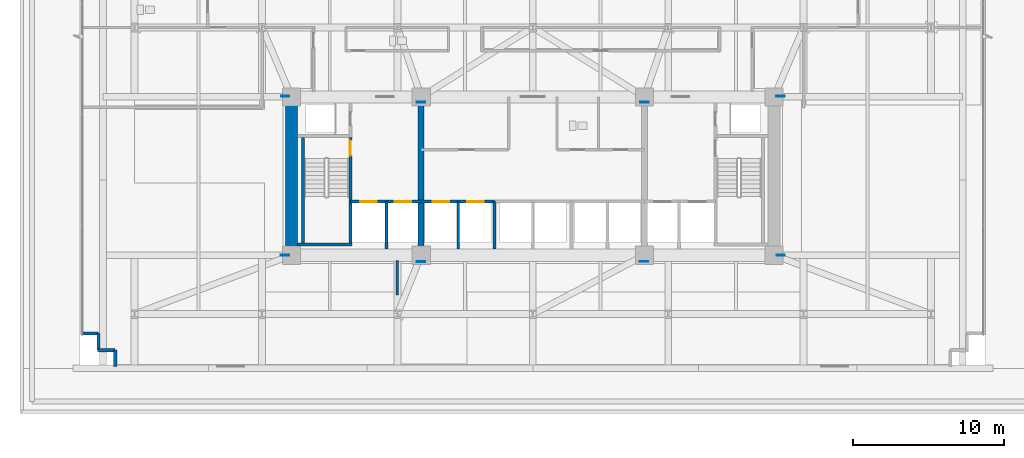
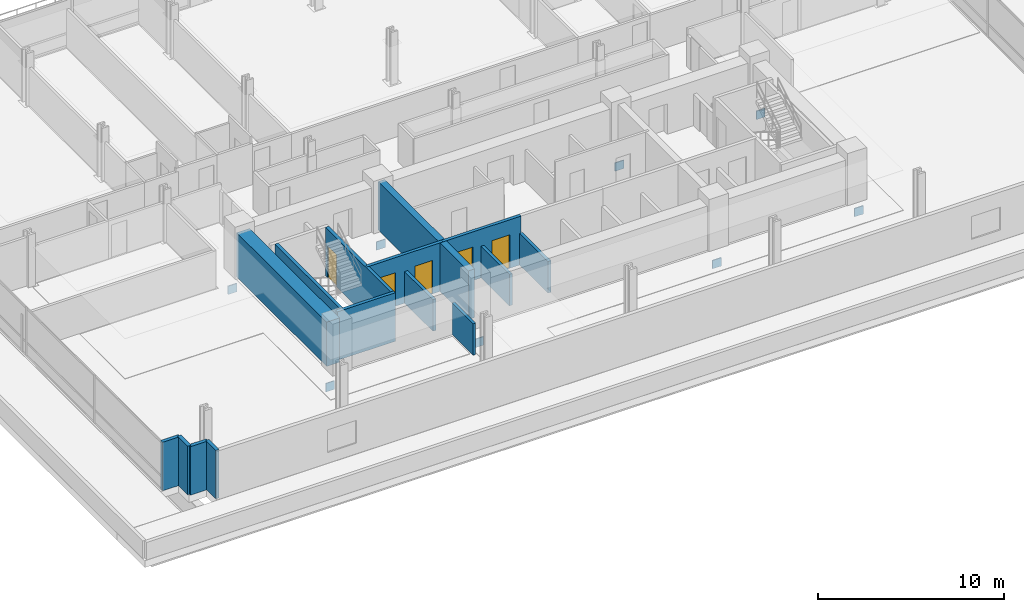
# One storey, part 17 of 25: 15 walls, 8 plates, 5 doors, 5 openings.
"""IFC4 building model written with IfcOpenShell, lengths in metres."""

from ifc_helpers import new_model, si_unit, direction, frame, frame_2d, origin, origin_2d, place, context, subcontext, project, spatial, rectangle, extrude, material, layer, layer_set, type_object, element, fill, save


model = new_model("IFC4")

# Units and contexts
model_context = context("Model", 3, precision=1e-05, world=origin(), true_north=direction((0.0, 1.0)))
body_context = subcontext(model_context, "Body", "Model", "MODEL_VIEW")
ifc_project = project(units=[si_unit("LENGTHUNIT", "METRE"), si_unit("AREAUNIT", "SQUARE_METRE"), si_unit("VOLUMEUNIT", "CUBIC_METRE"), si_unit("PLANEANGLEUNIT", "RADIAN"), si_unit("MASSUNIT", "GRAM", prefix="KILO")], contexts=[model_context])

# Site, building, storey
site_placement = place(None, origin())
site = spatial("IfcSite", under=ifc_project, at=site_placement, CompositionType="ELEMENT")
building_placement = place(site_placement, origin())
building = spatial("IfcBuilding", under=site, at=building_placement, Name="Solmavex Isthmus Hotel", CompositionType="ELEMENT")
storey_placement = place(building_placement, frame((0.0, 0.0, 26.39990234375)))
storey = spatial("IfcBuildingStorey", under=building, at=storey_placement, Name="L06", CompositionType="ELEMENT", Elevation=26.39990234375)

# Plates
ifc_material_1 = material(Name="Steel ASTM A572 Grade 50", Category="steel")
ifc_layer_1 = layer(ifc_material_1, 0.06005859375)
ifc_layer_set_1 = layer_set([ifc_layer_1], Name="Steel ASTM A572 Grade 50")
plate_type = type_object("IfcPlateType", Name="PLT-EMBED-60", PredefinedType="USERDEFINED", material=ifc_layer_set_1)
for number, where, z_axis, x_axis, name in (
    (1, (-7.41162109375, -2.865966796875, -1.3046875), (0.0, 0.0, 1.0), (1.0, 0.0, 0.0), "Outrigger Strut Core Cast-In Embedment Stiffener Plate 023"),
    (2, (7.41162109375, -2.865966796875, -1.3046875), (0.0, 0.0, 1.0), (1.0, 0.0, 0.0), "Outrigger Strut Core Cast-In Embedment Stiffener Plate 024"),
    (3, (-16.4140625, -2.466796875, -1.3046875), (0.0, 0.0, 1.0), (1.0, 0.0, 0.0), "Outrigger Strut Core Cast-In Embedment Stiffener Plate 025"),
    (4, (16.4140625, -2.466796875, -1.3046875), (0.0, 0.0, 1.0), (1.0, 0.0, 0.0), "Outrigger Strut Core Cast-In Embedment Stiffener Plate 026"),
    (5, (-16.43359375, -13.0126953125, -1.3046875), (0.0, 0.0, 1.0), (1.0, 0.0, 0.0), "Outrigger Strut Core Cast-In Embedment Stiffener Plate 027"),
    (6, (16.43359375, -13.0126953125, -1.3046875), (0.0, 0.0, 1.0), (1.0, 0.0, 0.0), "Outrigger Strut Core Cast-In Embedment Stiffener Plate 028"),
    (7, (-7.41357421875, -13.433349609375, -1.3046875), (0.0, 0.0, 1.0), (1.0, 0.0, 0.0), "Outrigger Strut Core Cast-In Embedment Stiffener Plate 029"),
    (8, (7.3681640625, -13.416748046875, -1.3046875), (0.0, 0.0, 1.0), (1.0, 0.0, 0.0), "Outrigger Strut Core Cast-In Embedment Stiffener Plate 030"),
):
    element("IfcPlate", number, at=place(storey_placement, frame(where, z_axis=z_axis, x_axis=x_axis)), inside=storey, type_object=plate_type, Name=name, ObjectType="STIFFENER_PLATE", PredefinedType="USERDEFINED", context=body_context, shape_type="SweptSolid", body=[
        extrude(rectangle(XDim=0.550048828125, YDim=0.06005859375, at=origin_2d()), origin(), (0.0, 0.0, 1.0), 0.550048828125),
    ])

# Walls
ifc_material_2 = material(Name="Precast Concrete C40/50", Category="concrete")
ifc_layer_2 = layer(ifc_material_2, 0.25)
ifc_layer_set_2 = layer_set([ifc_layer_2], Name="Precast Concrete C40/50")
wall_type_1 = type_object("IfcWallType", Name="EW-TWR-250", PredefinedType="STANDARD", material=ifc_layer_set_2)
wall_1_placement = place(storey_placement, frame((-27.68994140625, -20.389892578125, 0.0), z_axis=(0.0, 0.0, 1.0), x_axis=(0.0, 1.0, 0.0)))
element("IfcWall", 9, at=wall_1_placement, inside=storey, type_object=wall_type_1, Name="Serrated Corner Facade Panel L06-01", PredefinedType="STANDARD", context=body_context, shape_type="SweptSolid", body=[
    extrude(rectangle(XDim=1.099853515625, YDim=0.219970703125, at=frame_2d((0.5498046875, 0.0))), origin(), (0.0, 0.0, 1.0), 3.190185546875),
])
for number, where, z_axis, x_axis, name in (
    (10, (-27.68994140625, -19.2900390625, 0.0), (0.0, 0.0, 1.0), (-1.0, 0.0, 0.0), "Serrated Corner Facade Panel L06-02"),
    (11, (-28.7900390625, -19.2900390625, 0.0), (0.0, 0.0, 1.0), (0.0, 1.0, 0.0), "Serrated Corner Facade Panel L06-03"),
):
    element("IfcWall", number, at=place(storey_placement, frame(where, z_axis=z_axis, x_axis=x_axis)), inside=storey, type_object=wall_type_1, Name=name, PredefinedType="STANDARD", context=body_context, shape_type="SweptSolid", body=[
        extrude(rectangle(XDim=1.10009765625, YDim=0.219970703125, at=frame_2d((0.550048828125, 0.0))), origin(), (0.0, 0.0, 1.0), 3.190185546875),
    ])
wall_2_placement = place(storey_placement, frame((-28.7900390625, -18.18994140625, 0.0), z_axis=(0.0, 0.0, 1.0), x_axis=(-1.0, 0.0, 0.0)))
element("IfcWall", 12, at=wall_2_placement, inside=storey, type_object=wall_type_1, Name="Serrated Corner Facade Panel L06-04", PredefinedType="STANDARD", context=body_context, shape_type="SweptSolid", body=[
    extrude(rectangle(XDim=1.099853515625, YDim=0.219970703125, at=frame_2d((0.5498046875, 0.0))), origin(), (0.0, 0.0, 1.0), 3.190185546875),
])
ifc_material_3 = material(Name="Gypsum plasterboard lining", Category="gypsum")
ifc_layer_3 = layer(ifc_material_3, 0.159912109375)
ifc_layer_set_3 = layer_set([ifc_layer_3], Name="Gypsum plasterboard lining")
wall_type_2 = type_object("IfcWallType", Name="IW-COMP-160", PredefinedType="PARTITIONING", material=ifc_layer_set_3)
wall_3_placement = place(storey_placement, frame((-8.97607421875, -13.360107421875, 0.0), z_axis=(0.0, 0.0, 1.0), x_axis=(0.0, -1.0, 0.0)))
element("IfcWall", 13, at=wall_3_placement, inside=storey, type_object=wall_type_2, Name="Interior Partition Wall W-L06-P068", PredefinedType="PARTITIONING", context=body_context, shape_type="SweptSolid", body=[
    extrude(rectangle(XDim=2.27978515625, YDim=0.159912109375, at=frame_2d((1.139892578125, 0.0))), origin(), (0.0, 0.0, 1.0), 2.0751953125),
])
ifc_material_4 = material(Name="Concrete C40/50", Category="concrete")
ifc_layer_4 = layer(ifc_material_4, 0.179931640625)
ifc_layer_set_4 = layer_set([ifc_layer_4], Name="Concrete C40/50")
wall_type_3 = type_object("IfcWallType", Name="IW-SHAFT-180", PredefinedType="PARTITIONING", material=ifc_layer_set_4)
wall_4_placement = place(storey_placement, frame((-4.949951171875, -12.60009765625, 0.0), z_axis=(0.0, 0.0, 1.0), x_axis=(0.0, 1.0, 0.0)))
element("IfcWall", 14, at=wall_4_placement, inside=storey, type_object=wall_type_3, Name="Interior Partition Wall W-L06-SH-PLL-M", PredefinedType="PARTITIONING", context=body_context, shape_type="SweptSolid", body=[
    extrude(rectangle(XDim=3.150146484375, YDim=0.179931640625, at=frame_2d((1.5751953125, 0.0))), origin(), (0.0, 0.0, 1.0), 2.0751953125),
])

# Wall, openings, doors
ifc_layer_5 = layer(ifc_material_4, 0.199951171875)
ifc_layer_set_5 = layer_set([ifc_layer_5], Name="Concrete C40/50")
wall_type_4 = type_object("IfcWallType", Name="IW-SHAFT-200", PredefinedType="PARTITIONING", material=ifc_layer_set_5)
wall_5_placement = place(storey_placement, frame((-12.10009765625, -9.449951171875, 0.0), z_axis=(0.0, 0.0, 1.0), x_axis=(1.0, 0.0, 0.0)))
wall_5 = element("IfcWall", 15, at=wall_5_placement, inside=storey, type_object=wall_type_4, Name="Interior Partition Wall W-L06-FFLW-S", PredefinedType="PARTITIONING", context=body_context, shape_type="SweptSolid", body=[
    extrude(rectangle(XDim=4.7001953125, YDim=0.199951171875, at=frame_2d((2.35009765625, 0.0))), origin(), (0.0, 0.0, 1.0), 3.190185546875),
])
opening_1_placement = place(wall_5_placement, frame((0.64990234375, 0.0, 0.0)))
opening_1 = element("IfcOpeningElement", 16, at=opening_1_placement, cuts=wall_5, Name="Opening LD-FF", PredefinedType="OPENING", context=body_context, shape_type="SweptSolid", body=[
    extrude(rectangle(XDim=1.10009765625, YDim=2.199951171875, at=frame_2d((0.550048828125, 1.10009765625))), frame((0.0, 0.10986328125, 0.0), z_axis=(0.0, -1.0, 0.0), x_axis=(1.0, 0.0, 0.0)), (0.0, 0.0, 1.0), 0.219970703125),
])
opening_2_placement = place(wall_5_placement, frame((2.949951171875, 0.0, 0.0)))
opening_2 = element("IfcOpeningElement", 17, at=opening_2_placement, cuts=wall_5, Name="Opening LD-SV", PredefinedType="OPENING", context=body_context, shape_type="SweptSolid", body=[
    extrude(rectangle(XDim=1.10009765625, YDim=2.199951171875, at=frame_2d((0.550048828125, 1.10009765625))), frame((0.0, 0.10986328125, 0.0), z_axis=(0.0, -1.0, 0.0), x_axis=(1.0, 0.0, 0.0)), (0.0, 0.0, 1.0), 0.219970703125),
])
ifc_material_5 = material(Name="Stainless steel 316", Category="steel")
door_type_1 = type_object("IfcDoorType", Name="LDR-FF-1100", OperationType="NOTDEFINED", PredefinedType="DOOR", material=ifc_material_5)
door_1_placement = place(opening_1_placement, origin())
door_1 = element("IfcDoor", 18, at=door_1_placement, inside=storey, type_object=door_type_1, Name="Lift Landing Door FFL-1 L06", OperationType="SLIDING_TO_LEFT", OverallHeight=2.199951171875, OverallWidth=1.10009765625, PredefinedType="DOOR", context=body_context, shape_type="SweptSolid", body=[
    extrude(rectangle(XDim=1.10009765625, YDim=2.199951171875, at=frame_2d((0.550048828125, 1.10009765625))), frame((0.0, 0.02490234375, 0.0), z_axis=(0.0, -1.0, 0.0), x_axis=(1.0, 0.0, 0.0)), (0.0, 0.0, 1.0), 0.050048828125),
])
fill(opening_1, door_1)
door_type_2 = type_object("IfcDoorType", Name="LDR-SV-1100", OperationType="NOTDEFINED", PredefinedType="DOOR", material=ifc_material_5)
door_2_placement = place(opening_2_placement, origin())
door_2 = element("IfcDoor", 19, at=door_2_placement, inside=storey, type_object=door_type_2, Name="Lift Landing Door SVL-1 L06", OperationType="SLIDING_TO_RIGHT", OverallHeight=2.199951171875, OverallWidth=1.10009765625, PredefinedType="DOOR", context=body_context, shape_type="SweptSolid", body=[
    extrude(rectangle(XDim=1.10009765625, YDim=2.199951171875, at=frame_2d((0.550048828125, 1.10009765625))), frame((0.0, 0.02490234375, 0.0), z_axis=(0.0, -1.0, 0.0), x_axis=(1.0, 0.0, 0.0)), (0.0, 0.0, 1.0), 0.050048828125),
])
fill(opening_2, door_2)

# Wall
wall_6_placement = place(storey_placement, frame((-9.699951171875, -12.60009765625, 0.0), z_axis=(0.0, 0.0, 1.0), x_axis=(0.0, 1.0, 0.0)))
element("IfcWall", 20, at=wall_6_placement, inside=storey, type_object=wall_type_4, Name="Interior Partition Wall W-L06-FFLW-M", PredefinedType="PARTITIONING", context=body_context, shape_type="SweptSolid", body=[
    extrude(rectangle(XDim=3.150146484375, YDim=0.199951171875, at=frame_2d((1.5751953125, 0.0))), origin(), (0.0, 0.0, 1.0), 2.0751953125),
])

# Wall, openings, doors
wall_7_placement = place(storey_placement, frame((-7.39990234375, -9.449951171875, 0.0), z_axis=(0.0, 0.0, 1.0), x_axis=(1.0, 0.0, 0.0)))
wall_7 = element("IfcWall", 21, at=wall_7_placement, inside=storey, type_object=wall_type_4, Name="Interior Partition Wall W-L06-SH-PLL", PredefinedType="PARTITIONING", context=body_context, shape_type="SweptSolid", body=[
    extrude(rectangle(XDim=4.849853515625, YDim=0.199951171875, at=frame_2d((2.4248046875, 0.0))), origin(), (0.0, 0.0, 1.0), 3.190185546875),
])
opening_3_placement = place(wall_7_placement, frame((0.75, 0.0, 0.0)))
opening_3 = element("IfcOpeningElement", 22, at=opening_3_placement, cuts=wall_7, Name="Opening LD-PL", PredefinedType="OPENING", context=body_context, shape_type="SweptSolid", body=[
    extrude(rectangle(XDim=1.10009765625, YDim=2.199951171875, at=frame_2d((0.550048828125, 1.10009765625))), frame((0.0, 0.10986328125, 0.0), z_axis=(0.0, -1.0, 0.0), x_axis=(1.0, 0.0, 0.0)), (0.0, 0.0, 1.0), 0.219970703125),
])
opening_4_placement = place(wall_7_placement, frame((3.050048828125, 0.0, 0.0)))
opening_4 = element("IfcOpeningElement", 23, at=opening_4_placement, cuts=wall_7, Name="Opening LD-PL", PredefinedType="OPENING", context=body_context, shape_type="SweptSolid", body=[
    extrude(rectangle(XDim=1.10009765625, YDim=2.199951171875, at=frame_2d((0.550048828125, 1.10009765625))), frame((0.0, 0.10986328125, 0.0), z_axis=(0.0, -1.0, 0.0), x_axis=(1.0, 0.0, 0.0)), (0.0, 0.0, 1.0), 0.219970703125),
])
door_type_3 = type_object("IfcDoorType", Name="LDR-PL-1100", OperationType="NOTDEFINED", PredefinedType="DOOR", material=ifc_material_5)
door_3_placement = place(opening_3_placement, origin())
door_3 = element("IfcDoor", 24, at=door_3_placement, inside=storey, type_object=door_type_3, Name="Lift Landing Door PLL1 L06", OperationType="SLIDING_TO_LEFT", OverallHeight=2.199951171875, OverallWidth=1.10009765625, PredefinedType="DOOR", context=body_context, shape_type="SweptSolid", body=[
    extrude(rectangle(XDim=1.10009765625, YDim=2.199951171875, at=frame_2d((0.550048828125, 1.10009765625))), frame((0.0, 0.02490234375, 0.0), z_axis=(0.0, -1.0, 0.0), x_axis=(1.0, 0.0, 0.0)), (0.0, 0.0, 1.0), 0.050048828125),
])
fill(opening_3, door_3)
door_4_placement = place(opening_4_placement, origin())
door_4 = element("IfcDoor", 25, at=door_4_placement, inside=storey, type_object=door_type_3, Name="Lift Landing Door PLL2 L06", OperationType="SLIDING_TO_LEFT", OverallHeight=2.199951171875, OverallWidth=1.10009765625, PredefinedType="DOOR", context=body_context, shape_type="SweptSolid", body=[
    extrude(rectangle(XDim=1.10009765625, YDim=2.199951171875, at=frame_2d((0.550048828125, 1.10009765625))), frame((0.0, 0.02490234375, 0.0), z_axis=(0.0, -1.0, 0.0), x_axis=(1.0, 0.0, 0.0)), (0.0, 0.0, 1.0), 0.050048828125),
])
fill(opening_4, door_4)

# Walls
wall_8_placement = place(storey_placement, frame((-2.550048828125, -12.60009765625, 0.0), z_axis=(0.0, 0.0, 1.0), x_axis=(0.0, 1.0, 0.0)))
element("IfcWall", 26, at=wall_8_placement, inside=storey, type_object=wall_type_4, Name="Interior Partition Wall W-L06-SH-PLL-E", PredefinedType="PARTITIONING", context=body_context, shape_type="SweptSolid", body=[
    extrude(rectangle(XDim=3.150146484375, YDim=0.199951171875, at=frame_2d((1.5751953125, 0.0))), origin(), (0.0, 0.0, 1.0), 2.0751953125),
])
ifc_material_6 = material(Name="Concrete C70/85", Category="concrete")
ifc_layer_6 = layer(ifc_material_6, 0.39990234375)
ifc_layer_set_6 = layer_set([ifc_layer_6], Name="Concrete C70/85")
wall_type_5 = type_object("IfcWallType", Name="WALL-CW-400L", PredefinedType="SHEAR", material=ifc_layer_set_6)
wall_9_placement = place(storey_placement, frame((-7.39990234375, -12.60009765625, 0.0), z_axis=(0.0, 0.0, 1.0), x_axis=(0.0, 1.0, 0.0)))
element("IfcWall", 27, at=wall_9_placement, inside=storey, type_object=wall_type_5, Name="Core Cross Shear Wall C1 L06", PredefinedType="SHEAR", context=body_context, shape_type="SweptSolid", body=[
    extrude(rectangle(XDim=9.7001953125, YDim=0.39990234375, at=frame_2d((4.85009765625, 0.0))), origin(), (0.0, 0.0, 1.0), 3.190185546875),
])
ifc_layer_7 = layer(ifc_material_6, 0.800048828125)
ifc_layer_set_7 = layer_set([ifc_layer_7], Name="Concrete C70/85")
wall_type_6 = type_object("IfcWallType", Name="WALL-CW-800", PredefinedType="SHEAR", material=ifc_layer_set_7)
wall_10_placement = place(storey_placement, frame((-16.0, -12.60009765625, 0.0), z_axis=(0.0, 0.0, 1.0), x_axis=(0.0, 1.0, 0.0)))
element("IfcWall", 28, at=wall_10_placement, inside=storey, type_object=wall_type_6, Name="Core Shear Wall West L06", PredefinedType="SHEAR", context=body_context, shape_type="SweptSolid", body=[
    extrude(rectangle(XDim=9.7001953125, YDim=0.800048828125, at=frame_2d((4.85009765625, 0.0))), origin(), (0.0, 0.0, 1.0), 2.91015625),
])
ifc_layer_8 = layer(ifc_material_4, 0.199951171875)
ifc_layer_set_8 = layer_set([ifc_layer_8], Name="Concrete C40/50")
wall_type_7 = type_object("IfcWallType", Name="WALL-SW-200", PredefinedType="SOLIDWALL", material=ifc_layer_set_8)
wall_11_placement = place(storey_placement, frame((-15.60009765625, -12.300048828125, 0.0), z_axis=(0.0, 0.0, 1.0), x_axis=(1.0, 0.0, 0.0)))
element("IfcWall", 29, at=wall_11_placement, inside=storey, type_object=wall_type_7, Name="Stairwell Structural Wall SW-L06-ST1-S", PredefinedType="SOLIDWALL", context=body_context, shape_type="SweptSolid", body=[
    extrude(rectangle(XDim=3.60009765625, YDim=0.199951171875, at=frame_2d((1.800048828125, 0.0))), origin(), (0.0, 0.0, 1.0), 3.190185546875),
])
wall_12_placement = place(storey_placement, frame((-15.25, -12.199951171875, 0.0), z_axis=(0.0, 0.0, 1.0), x_axis=(0.0, 1.0, 0.0)))
element("IfcWall", 30, at=wall_12_placement, inside=storey, type_object=wall_type_7, Name="Stairwell Structural Wall SW-L06-ST1-W", PredefinedType="SOLIDWALL", context=body_context, shape_type="SweptSolid", body=[
    extrude(rectangle(XDim=7.0, YDim=0.199951171875, at=frame_2d((3.5, 0.0))), origin(), (0.0, 0.0, 1.0), 3.190185546875),
])

# Wall, opening, door
wall_13_placement = place(storey_placement, frame((-12.10009765625, -12.199951171875, 0.0), z_axis=(0.0, 0.0, 1.0), x_axis=(0.0, 1.0, 0.0)))
wall_13 = element("IfcWall", 31, at=wall_13_placement, inside=storey, type_object=wall_type_7, Name="Stairwell Structural Wall SW-L06-ST1-E", PredefinedType="SOLIDWALL", context=body_context, shape_type="SweptSolid", body=[
    extrude(rectangle(XDim=7.0, YDim=0.199951171875, at=frame_2d((3.5, 0.0))), origin(), (0.0, 0.0, 1.0), 3.190185546875),
])
opening_5_placement = place(wall_13_placement, frame((5.800048828125, 0.0, 0.0)))
opening_5 = element("IfcOpeningElement", 32, at=opening_5_placement, cuts=wall_13, Name="Opening ID-F100", PredefinedType="OPENING", context=body_context, shape_type="SweptSolid", body=[
    extrude(rectangle(XDim=1.0, YDim=2.10009765625, at=frame_2d((0.5, 1.050048828125))), frame((0.0, 0.10986328125, 0.0), z_axis=(0.0, -1.0, 0.0), x_axis=(1.0, 0.0, 0.0)), (0.0, 0.0, 1.0), 0.219970703125),
])
ifc_material_7 = material(Name="Steel ASTM A500 Grade C", Category="steel")
door_type_4 = type_object("IfcDoorType", Name="IDR-FD90-1000", OperationType="NOTDEFINED", PredefinedType="DOOR", material=ifc_material_7)
door_5_placement = place(opening_5_placement, frame((1.0, 0.0, 0.0), z_axis=(0.0, 0.0, 1.0), x_axis=(-1.0, 0.0, 0.0)))
door_5 = element("IfcDoor", 33, at=door_5_placement, inside=storey, type_object=door_type_4, Name="Stair ST-1 Fire Door L06", OperationType="SINGLE_SWING_LEFT", OverallHeight=2.10009765625, OverallWidth=1.0, PredefinedType="DOOR", context=body_context, shape_type="SweptSolid", body=[
    extrude(rectangle(XDim=1.0, YDim=2.10009765625, at=frame_2d((0.5, 1.050048828125))), frame((0.0, 0.02490234375, 0.0), z_axis=(0.0, -1.0, 0.0), x_axis=(1.0, 0.0, 0.0)), (0.0, 0.0, 1.0), 0.050048828125),
])
fill(opening_5, door_5)

save(model, "model.ifc")
